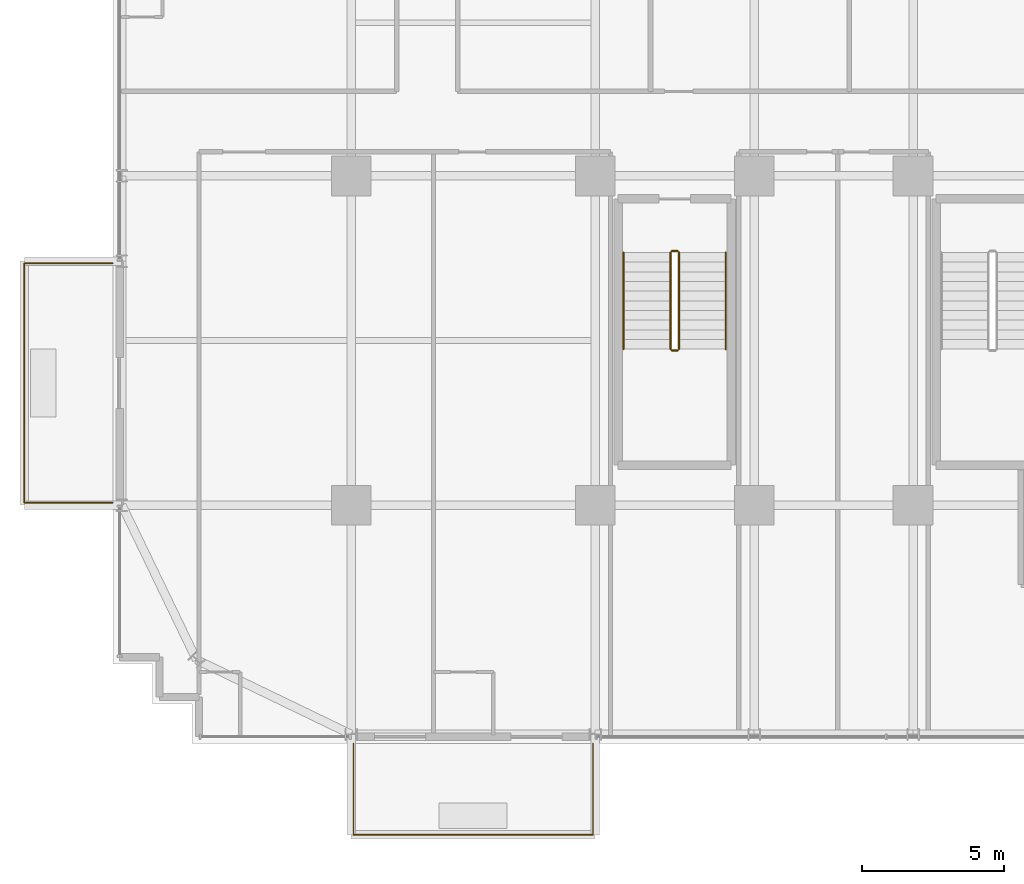
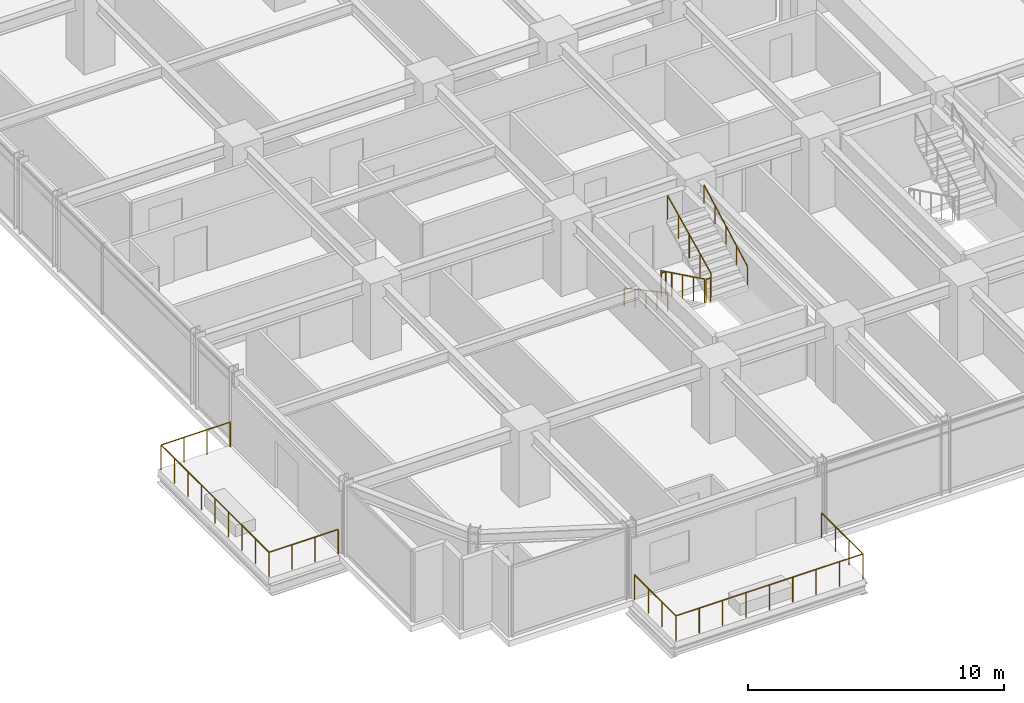
# One storey, part 35 of 37: 8 railings.
"""IFC4 building model written with IfcOpenShell, lengths in metres."""

from ifc_helpers import new_model, si_unit, direction, frame, origin, origin_2d, place, context, subcontext, project, spatial, circle, extrude, material, type_object, element, save


model = new_model("IFC4")

# Units and contexts
model_context = context("Model", 3, precision=1e-05, world=origin(), true_north=direction((0.0, 1.0)))
body_context = subcontext(model_context, "Body", "Model", "MODEL_VIEW")
ifc_project = project(units=[si_unit("LENGTHUNIT", "METRE"), si_unit("AREAUNIT", "SQUARE_METRE"), si_unit("VOLUMEUNIT", "CUBIC_METRE"), si_unit("PLANEANGLEUNIT", "RADIAN"), si_unit("MASSUNIT", "GRAM", prefix="KILO")], contexts=[model_context])

# Site, building, storey
site_placement = place(None, origin())
site = spatial("IfcSite", under=ifc_project, at=site_placement, CompositionType="ELEMENT")
building_placement = place(site_placement, origin())
building = spatial("IfcBuilding", under=site, at=building_placement, Name="Nahalor Promenade Grand Hotel", CompositionType="ELEMENT")
storey_placement = place(building_placement, frame((0.0, 0.0, 36.050048828125)))
storey = spatial("IfcBuildingStorey", under=building, at=storey_placement, Name="L07", CompositionType="ELEMENT", Elevation=36.050048828125)

# Railings
ifc_material_1 = material(Name="Anodised Bronze Aluminium EN AW-6063 T6", Category="aluminium")
railing_type_1 = type_object("IfcRailingType", Name="Bronze Balcony Guardrail 1200 mm", PredefinedType="GUARDRAIL", material=ifc_material_1)
railing_1_placement = place(storey_placement, frame((-16.919921875, -25.39990234375, 0.0)))
element("IfcRailing", 1, at=railing_1_placement, inside=storey, type_object=railing_type_1, Name="L07 Balcony Guardrail 1", PredefinedType="GUARDRAIL", context=body_context, shape_type="SweptSolid", body=[
    extrude(circle(Radius=0.024048, at=origin_2d()), frame((0.0, 0.0, 1.17578125), z_axis=(0.0, -1.0, 0.0), x_axis=(1.0, 0.0, 0.0)), (0.0, 0.0, 1.0), 3.21826171875),
    extrude(circle(Radius=0.024048, at=origin_2d()), frame((0.001953125, -3.22021484375, 1.17578125), z_axis=(1.0, 0.0, 0.0), x_axis=(0.0, 1.0, 0.0)), (0.0, 0.0, 1.0), 8.43603515625),
    extrude(circle(Radius=0.024048, at=origin_2d()), frame((8.43994140625, -3.21826171875, 1.17578125), z_axis=(0.0, 1.0, 0.0), x_axis=(-1.0, 0.0, 0.0)), (0.0, 0.0, 1.0), 3.21826171875),
    extrude(circle(Radius=0.020996, at=origin_2d()), origin(), (0.0, 0.0, 1.0), 1.14990234375),
    extrude(circle(Radius=0.020996, at=origin_2d()), frame((0.0, -1.073486328125, 0.0)), (0.0, 0.0, 1.0), 1.14990234375),
    extrude(circle(Radius=0.020996, at=origin_2d()), frame((0.0, -2.146728515625, 0.0)), (0.0, 0.0, 1.0), 1.14990234375),
    extrude(circle(Radius=0.020996, at=origin_2d()), frame((0.0, -3.22021484375, 0.0)), (0.0, 0.0, 1.0), 1.14990234375),
    extrude(circle(Radius=0.020996, at=origin_2d()), frame((1.054931640625, -3.22021484375, 0.0)), (0.0, 0.0, 1.0), 1.14990234375),
    extrude(circle(Radius=0.020996, at=origin_2d()), frame((2.10986328125, -3.22021484375, 0.0)), (0.0, 0.0, 1.0), 1.14990234375),
    extrude(circle(Radius=0.020996, at=origin_2d()), frame((3.1650390625, -3.22021484375, 0.0)), (0.0, 0.0, 1.0), 1.14990234375),
    extrude(circle(Radius=0.020996, at=origin_2d()), frame((4.219970703125, -3.22021484375, 0.0)), (0.0, 0.0, 1.0), 1.14990234375),
    extrude(circle(Radius=0.020996, at=origin_2d()), frame((5.27490234375, -3.22021484375, 0.0)), (0.0, 0.0, 1.0), 1.14990234375),
    extrude(circle(Radius=0.020996, at=origin_2d()), frame((6.330078125, -3.22021484375, 0.0)), (0.0, 0.0, 1.0), 1.14990234375),
    extrude(circle(Radius=0.020996, at=origin_2d()), frame((7.385009765625, -3.22021484375, 0.0)), (0.0, 0.0, 1.0), 1.14990234375),
    extrude(circle(Radius=0.020996, at=origin_2d()), frame((8.43994140625, -3.22021484375, 0.0)), (0.0, 0.0, 1.0), 1.14990234375),
    extrude(circle(Radius=0.020996, at=origin_2d()), frame((8.43994140625, -2.146728515625, 0.0)), (0.0, 0.0, 1.0), 1.14990234375),
    extrude(circle(Radius=0.020996, at=origin_2d()), frame((8.43994140625, -1.073486328125, 0.0)), (0.0, 0.0, 1.0), 1.14990234375),
    extrude(circle(Radius=0.020996, at=origin_2d()), frame((8.43994140625, 0.0, 0.0)), (0.0, 0.0, 1.0), 1.14990234375),
])
railing_2_placement = place(storey_placement, frame((-25.39990234375, -16.919921875, 0.0)))
element("IfcRailing", 2, at=railing_2_placement, inside=storey, type_object=railing_type_1, Name="L07 Balcony Guardrail 2", PredefinedType="GUARDRAIL", context=body_context, shape_type="SweptSolid", body=[
    extrude(circle(Radius=0.024048, at=origin_2d()), frame((0.0, 0.0, 1.17578125), z_axis=(-1.0, 0.0, 0.0), x_axis=(0.0, -1.0, 0.0)), (0.0, 0.0, 1.0), 3.1181640625),
    extrude(circle(Radius=0.024048, at=origin_2d()), frame((-3.1201171875, 0.001953125, 1.17578125), z_axis=(0.0, 1.0, 0.0), x_axis=(-1.0, 0.0, 0.0)), (0.0, 0.0, 1.0), 8.43603515625),
    extrude(circle(Radius=0.024048, at=origin_2d()), frame((-3.1181640625, 8.43994140625, 1.17578125), z_axis=(1.0, 0.0, 0.0), x_axis=(0.0, 1.0, 0.0)), (0.0, 0.0, 1.0), 3.1181640625),
    extrude(circle(Radius=0.020996, at=origin_2d()), origin(), (0.0, 0.0, 1.0), 1.14990234375),
    extrude(circle(Radius=0.020996, at=origin_2d()), frame((-1.0400390625, 0.0, 0.0)), (0.0, 0.0, 1.0), 1.14990234375),
    extrude(circle(Radius=0.020996, at=origin_2d()), frame((-2.080078125, 0.0, 0.0)), (0.0, 0.0, 1.0), 1.14990234375),
    extrude(circle(Radius=0.020996, at=origin_2d()), frame((-3.1201171875, 0.0, 0.0)), (0.0, 0.0, 1.0), 1.14990234375),
    extrude(circle(Radius=0.020996, at=origin_2d()), frame((-3.1201171875, 1.054931640625, 0.0)), (0.0, 0.0, 1.0), 1.14990234375),
    extrude(circle(Radius=0.020996, at=origin_2d()), frame((-3.1201171875, 2.10986328125, 0.0)), (0.0, 0.0, 1.0), 1.14990234375),
    extrude(circle(Radius=0.020996, at=origin_2d()), frame((-3.1201171875, 3.1650390625, 0.0)), (0.0, 0.0, 1.0), 1.14990234375),
    extrude(circle(Radius=0.020996, at=origin_2d()), frame((-3.1201171875, 4.219970703125, 0.0)), (0.0, 0.0, 1.0), 1.14990234375),
    extrude(circle(Radius=0.020996, at=origin_2d()), frame((-3.1201171875, 5.27490234375, 0.0)), (0.0, 0.0, 1.0), 1.14990234375),
    extrude(circle(Radius=0.020996, at=origin_2d()), frame((-3.1201171875, 6.330078125, 0.0)), (0.0, 0.0, 1.0), 1.14990234375),
    extrude(circle(Radius=0.020996, at=origin_2d()), frame((-3.1201171875, 7.385009765625, 0.0)), (0.0, 0.0, 1.0), 1.14990234375),
    extrude(circle(Radius=0.020996, at=origin_2d()), frame((-3.1201171875, 8.43994140625, 0.0)), (0.0, 0.0, 1.0), 1.14990234375),
    extrude(circle(Radius=0.020996, at=origin_2d()), frame((-2.080078125, 8.43994140625, 0.0)), (0.0, 0.0, 1.0), 1.14990234375),
    extrude(circle(Radius=0.020996, at=origin_2d()), frame((-1.0400390625, 8.43994140625, 0.0)), (0.0, 0.0, 1.0), 1.14990234375),
    extrude(circle(Radius=0.020996, at=origin_2d()), frame((0.0, 8.43994140625, 0.0)), (0.0, 0.0, 1.0), 1.14990234375),
])
ifc_material_2 = material(Name="Steel S355JR", Category="steel")
railing_type_2 = type_object("IfcRailingType", Name="Steel Stair Guardrail 1150 mm", PredefinedType="GUARDRAIL", material=ifc_material_2)
railing_3_placement = place(storey_placement, frame((-5.75, -8.10009765625, 0.165771484375)))
element("IfcRailing", 3, at=railing_3_placement, inside=storey, type_object=railing_type_2, Name="L07 ST3 stair guard 1", PredefinedType="GUARDRAIL", context=body_context, shape_type="SweptSolid", body=[
    extrude(circle(Radius=0.024048, at=origin_2d()), frame((0.0, 0.0, 1.1259765625), z_axis=(0.0, -0.898696488221, 0.438571114028), x_axis=(1.0, 0.0, 0.0)), (0.0, 0.0, 1.0), 3.783203125),
    extrude(circle(Radius=0.020996, at=origin_2d()), origin(), (0.0, 0.0, 1.0), 1.099853515625),
    extrude(circle(Radius=0.020996, at=origin_2d()), frame((0.0, -0.85009765625, 0.414794921875)), (0.0, 0.0, 1.0), 1.099853515625),
    extrude(circle(Radius=0.020996, at=origin_2d()), frame((0.0, -1.699951171875, 0.82958984375)), (0.0, 0.0, 1.0), 1.099853515625),
    extrude(circle(Radius=0.020996, at=origin_2d()), frame((0.0, -2.5498046875, 1.244384765625)), (0.0, 0.0, 1.0), 1.099853515625),
    extrude(circle(Radius=0.020996, at=origin_2d()), frame((0.0, -3.39990234375, 1.6591796875)), (0.0, 0.0, 1.0), 1.099853515625),
])
railing_4_placement = place(storey_placement, frame((-5.699951171875, -11.550048828125, 1.824951171875)))
element("IfcRailing", 4, at=railing_4_placement, inside=storey, type_object=railing_type_2, Name="L07 ST3 stair guard 2", PredefinedType="GUARDRAIL", context=body_context, shape_type="SweptSolid", body=[
    extrude(circle(Radius=0.024048, at=origin_2d()), frame((0.0, 0.0, 1.1259765625), z_axis=(1.0, 0.0, 0.0), x_axis=(0.0, 1.0, 0.0)), (0.0, 0.0, 1.0), 0.199951171875),
    extrude(circle(Radius=0.020996, at=origin_2d()), origin(), (0.0, 0.0, 1.0), 1.099853515625),
    extrude(circle(Radius=0.020996, at=origin_2d()), frame((0.199951171875, 0.0, 0.0)), (0.0, 0.0, 1.0), 1.099853515625),
])
railing_5_placement = place(storey_placement, frame((-5.449951171875, -11.5, 1.990966796875)))
element("IfcRailing", 5, at=railing_5_placement, inside=storey, type_object=railing_type_2, Name="L07 ST3 stair guard 3", PredefinedType="GUARDRAIL", context=body_context, shape_type="SweptSolid", body=[
    extrude(circle(Radius=0.024048, at=origin_2d()), frame((0.0, 0.0, 1.1259765625), z_axis=(0.0, 0.898721922897, 0.438518990814), x_axis=(-1.0, 0.0, 0.0)), (0.0, 0.0, 1.0), 3.782958984375),
    extrude(circle(Radius=0.020996, at=origin_2d()), origin(), (0.0, 0.0, 1.0), 1.099853515625),
    extrude(circle(Radius=0.020996, at=origin_2d()), frame((0.0, 0.85009765625, 0.414794921875)), (0.0, 0.0, 1.0), 1.099853515625),
    extrude(circle(Radius=0.020996, at=origin_2d()), frame((0.0, 1.699951171875, 0.82958984375)), (0.0, 0.0, 1.0), 1.099853515625),
    extrude(circle(Radius=0.020996, at=origin_2d()), frame((0.0, 2.5498046875, 1.244140625)), (0.0, 0.0, 1.0), 1.099853515625),
    extrude(circle(Radius=0.020996, at=origin_2d()), frame((0.0, 3.39990234375, 1.658935546875)), (0.0, 0.0, 1.0), 1.099853515625),
])
railing_6_placement = place(storey_placement, frame((-5.699951171875, -8.050048828125, 0.0)))
element("IfcRailing", 6, at=railing_6_placement, inside=storey, type_object=railing_type_2, Name="L07 ST3 stair guard 4", PredefinedType="GUARDRAIL", context=body_context, shape_type="SweptSolid", body=[
    extrude(circle(Radius=0.024048, at=origin_2d()), frame((0.0, 0.0, 1.1259765625), z_axis=(1.0, 0.0, 0.0), x_axis=(0.0, 1.0, 0.0)), (0.0, 0.0, 1.0), 0.199951171875),
    extrude(circle(Radius=0.020996, at=origin_2d()), origin(), (0.0, 0.0, 1.0), 1.099853515625),
    extrude(circle(Radius=0.020996, at=origin_2d()), frame((0.199951171875, 0.0, 0.0)), (0.0, 0.0, 1.0), 1.099853515625),
])
railing_type_3 = type_object("IfcRailingType", Name="Steel Stair Handrail 900 mm", PredefinedType="HANDRAIL", material=ifc_material_2)
railing_7_placement = place(storey_placement, frame((-7.39990234375, -8.10009765625, 0.165771484375)))
element("IfcRailing", 7, at=railing_7_placement, inside=storey, type_object=railing_type_3, Name="L07 ST3 stair handrail 1", PredefinedType="HANDRAIL", context=body_context, shape_type="SweptSolid", body=[
    extrude(circle(Radius=0.024048, at=origin_2d()), frame((0.0, 0.0, 0.8759765625), z_axis=(0.0, -0.881067672671, 0.472990228413), x_axis=(1.0, 0.0, 0.0)), (0.0, 0.0, 1.0), 3.85888671875),
    extrude(circle(Radius=0.020996, at=origin_2d()), origin(), (0.0, 0.0, 1.0), 0.849853515625),
    extrude(circle(Radius=0.020996, at=origin_2d()), frame((0.0, -0.85009765625, 0.456298828125)), (0.0, 0.0, 1.0), 0.849853515625),
    extrude(circle(Radius=0.020996, at=origin_2d()), frame((0.0, -1.699951171875, 0.91259765625)), (0.0, 0.0, 1.0), 0.849853515625),
    extrude(circle(Radius=0.020996, at=origin_2d()), frame((0.0, -2.5498046875, 1.368896484375)), (0.0, 0.0, 1.0), 0.849853515625),
    extrude(circle(Radius=0.020996, at=origin_2d()), frame((0.0, -3.39990234375, 1.8251953125)), (0.0, 0.0, 1.0), 0.849853515625),
])
railing_8_placement = place(storey_placement, frame((-3.800048828125, -11.5, 1.990966796875)))
element("IfcRailing", 8, at=railing_8_placement, inside=storey, type_object=railing_type_3, Name="L07 ST3 stair handrail 2", PredefinedType="HANDRAIL", context=body_context, shape_type="SweptSolid", body=[
    extrude(circle(Radius=0.024048, at=origin_2d()), frame((0.0, 0.0, 0.8759765625), z_axis=(0.0, 0.881094038095, 0.47294111265), x_axis=(-1.0, 0.0, 0.0)), (0.0, 0.0, 1.0), 3.858642578125),
    extrude(circle(Radius=0.020996, at=origin_2d()), origin(), (0.0, 0.0, 1.0), 0.849853515625),
    extrude(circle(Radius=0.020996, at=origin_2d()), frame((0.0, 0.85009765625, 0.456298828125)), (0.0, 0.0, 1.0), 0.849853515625),
    extrude(circle(Radius=0.020996, at=origin_2d()), frame((0.0, 1.699951171875, 0.91259765625)), (0.0, 0.0, 1.0), 0.849853515625),
    extrude(circle(Radius=0.020996, at=origin_2d()), frame((0.0, 2.5498046875, 1.36865234375)), (0.0, 0.0, 1.0), 0.849853515625),
    extrude(circle(Radius=0.020996, at=origin_2d()), frame((0.0, 3.39990234375, 1.824951171875)), (0.0, 0.0, 1.0), 0.849853515625),
])

save(model, "model.ifc")
